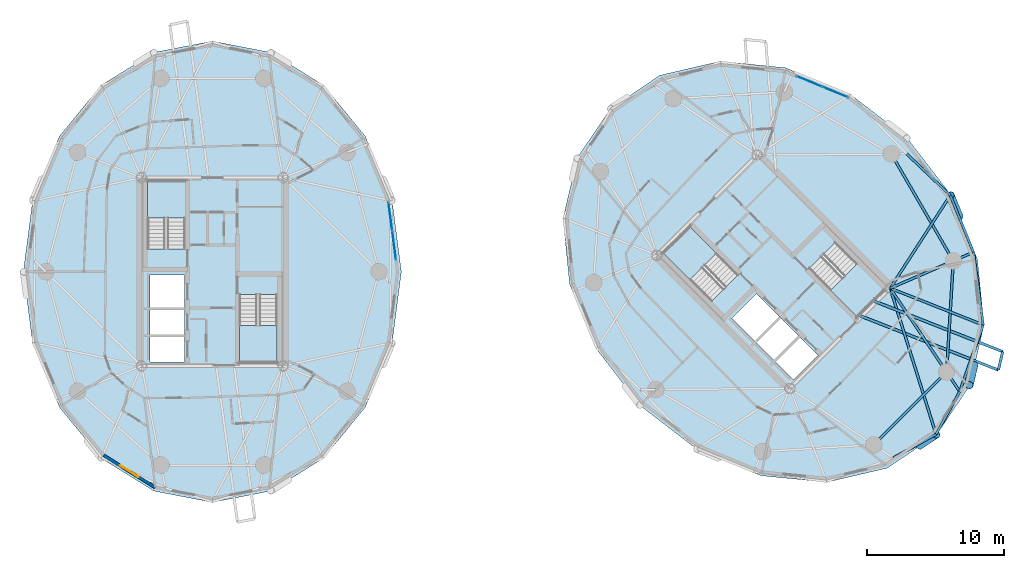
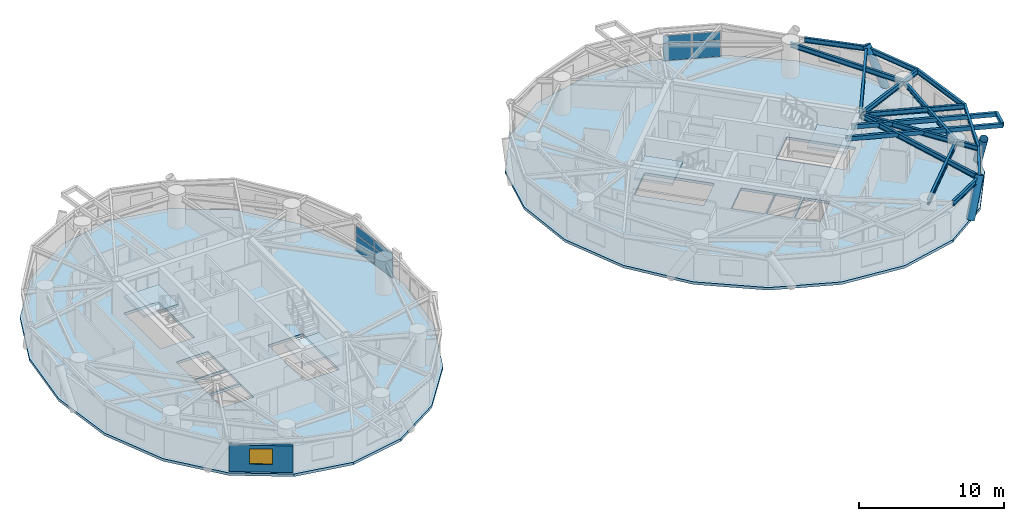
# One storey, part 8 of 17: 17 beams, 8 plates, 6 slabs, 3 members, 1 wall, 1 window, 1 opening, 6 elements without a shape of their own.
"""IFC4 building model written with IfcOpenShell, lengths in metres."""

from ifc_helpers import new_model, si_unit, direction, frame, frame_2d, origin, origin_2d, place, context, subcontext, project, spatial, polyline, rectangle, hollow_rectangle, hollow_circle, i_section, outline, extrude, source, transform, mapped, material, layer, layer_set, material_profile, profile_set, type_object, element, fill, aggregate, save


model = new_model("IFC4")

# Units and contexts
model_context = context("Model", 3, precision=1e-05, world=origin(), true_north=direction((0.0, 1.0)))
body_context = subcontext(model_context, "Body", "Model", "MODEL_VIEW")
ifc_project = project(units=[si_unit("LENGTHUNIT", "METRE"), si_unit("AREAUNIT", "SQUARE_METRE"), si_unit("VOLUMEUNIT", "CUBIC_METRE"), si_unit("PLANEANGLEUNIT", "RADIAN"), si_unit("MASSUNIT", "GRAM", prefix="KILO")], contexts=[model_context])

# Site, building, storey
site_placement = place(None, origin())
site = spatial("IfcSite", under=ifc_project, at=site_placement, CompositionType="ELEMENT")
building_placement = place(site_placement, origin())
building = spatial("IfcBuilding", under=site, at=building_placement, Name="Cununo Teusaquillo Station Towers", CompositionType="ELEMENT")
storey_placement = place(building_placement, frame((0.0, 0.0, 183.610107421875)))
storey = spatial("IfcBuildingStorey", under=building, at=storey_placement, Name="L58", CompositionType="ELEMENT", Elevation=183.610107421875)

# Beams
ifc_material_1 = material(Name="Steel EN 10025-2 S355J2", Category="steel")
ifc_material_profile_1 = material_profile(ifc_material_1, hollow_rectangle(XDim=0.199951171875, YDim=0.35009765625, WallThickness=0.013916015625, at=origin_2d()), Name="RHS 350x200x14")
ifc_profile_set_1 = profile_set([ifc_material_profile_1], Name="Steel EN 10025-2 S355J2")
beam_type_1 = type_object("IfcBeamType", Name="BM-BAL-CANT", PredefinedType="BEAM", material=ifc_profile_set_1)
beam_1_placement = place(storey_placement, frame((63.726318359375, 21.32177734375, 2.514892578125), z_axis=(0.93089493429, -0.36528703962, 0.0), x_axis=(0.36528703962, 0.93089493429, 0.0)))
element("IfcBeam", 1, at=beam_1_placement, inside=storey, type_object=beam_type_1, Name="L58 Tower B Balcony Cantilever Bracket 2A", PredefinedType="BEAM", context=body_context, shape_type="SweptSolid", body=[
    extrude(hollow_rectangle(XDim=0.199951171875, YDim=0.35009765625, WallThickness=0.013916015625, at=origin_2d()), origin(), (0.0, 0.0, 1.0), 10.958984375),
])
beam_2_placement = place(storey_placement, frame((64.781982421875, 22.377685546875, 2.514892578125), z_axis=(0.930897128362, -0.365281448211, 0.0), x_axis=(0.365281448211, 0.930897128362, 0.0)))
element("IfcBeam", 2, at=beam_2_placement, inside=storey, type_object=beam_type_1, Name="L58 Tower B Balcony Cantilever Bracket 2B", PredefinedType="BEAM", context=body_context, shape_type="SweptSolid", body=[
    extrude(hollow_rectangle(XDim=0.199951171875, YDim=0.35009765625, WallThickness=0.013916015625, at=origin_2d()), origin(), (0.0, 0.0, 1.0), 10.162353515625),
])
ifc_material_2 = material(Name="Steel ASTM A572 Grade 50", Category="steel")
ifc_material_profile_2 = material_profile(ifc_material_2, i_section(OverallWidth=0.180908203125, OverallDepth=0.4169921875, WebThickness=0.010986328125, FlangeThickness=0.018310546875, FilletRadius=0.012939453125, at=origin_2d()), Name="W16X57")
ifc_profile_set_2 = profile_set([ifc_material_profile_2], Name="Steel ASTM A572 Grade 50")
beam_type_2 = type_object("IfcBeamType", Name="BM-JOIST-1", PredefinedType="JOIST", material=ifc_profile_set_2)
beam_3_placement = place(storey_placement, frame((66.024169921875, 23.29443359375, 2.4814453125), z_axis=(0.29947962656, -0.954102695351, 0.0), x_axis=(0.954102695351, 0.29947962656, 0.0)))
element("IfcBeam", 3, at=beam_3_placement, inside=storey, type_object=beam_type_2, Name="L58 Tower B Radial Spandrel Joist V15", PredefinedType="JOIST", context=body_context, shape_type="SweptSolid", body=[
    extrude(i_section(OverallWidth=0.180908203125, OverallDepth=0.4169921875, WebThickness=0.010986328125, FlangeThickness=0.018310546875, FilletRadius=0.012939453125, at=origin_2d()), origin(), (0.0, 0.0, 1.0), 11.179931640625),
])
beam_4_placement = place(storey_placement, frame((66.024169921875, 23.29443359375, 2.4814453125), z_axis=(0.93009004426, -0.367331607091, 0.0), x_axis=(0.367331607091, 0.93009004426, 0.0)))
element("IfcBeam", 4, at=beam_4_placement, inside=storey, type_object=beam_type_2, Name="L58 Tower B Radial Spandrel Joist V17", PredefinedType="JOIST", context=body_context, shape_type="SweptSolid", body=[
    extrude(i_section(OverallWidth=0.180908203125, OverallDepth=0.4169921875, WebThickness=0.010986328125, FlangeThickness=0.018310546875, FilletRadius=0.012939453125, at=origin_2d()), origin(), (0.0, 0.0, 1.0), 7.306884765625),
])
beam_5_placement = place(storey_placement, frame((66.024169921875, 23.29443359375, 2.4814453125), z_axis=(0.543440395394, 0.839447756954, 0.0), x_axis=(-0.839447756954, 0.543440395394, 0.0)))
element("IfcBeam", 5, at=beam_5_placement, inside=storey, type_object=beam_type_2, Name="L58 Tower B Radial Spandrel Joist V19", PredefinedType="JOIST", context=body_context, shape_type="SweptSolid", body=[
    extrude(i_section(OverallWidth=0.180908203125, OverallDepth=0.4169921875, WebThickness=0.010986328125, FlangeThickness=0.018310546875, FilletRadius=0.012939453125, at=origin_2d()), origin(), (0.0, 0.0, 1.0), 8.08203125),
])
ifc_material_3 = material(Name="Steel ASTM A572 Grade 50", Category="steel")
ifc_material_profile_3 = material_profile(ifc_material_3, i_section(OverallWidth=0.180908203125, OverallDepth=0.4169921875, WebThickness=0.010986328125, FlangeThickness=0.018310546875, FilletRadius=0.012939453125, at=origin_2d()), Name="W16X57")
ifc_profile_set_3 = profile_set([ifc_material_profile_3], Name="Steel ASTM A572 Grade 50")
beam_type_3 = type_object("IfcBeamType", Name="BM-RAD-G2", PredefinedType="BEAM", material=ifc_profile_set_3)
beam_6_placement = place(storey_placement, frame((66.024169921875, 23.29443359375, 2.4814453125), z_axis=(0.558570989907, -0.829456719326, 0.0), x_axis=(0.829456719326, 0.558570989907, 0.0)))
element("IfcBeam", 6, at=beam_6_placement, inside=storey, type_object=beam_type_3, Name="L58 Tower B Continuous Overhanging Radial Girder 09", PredefinedType="BEAM", context=body_context, shape_type="SweptSolid", body=[
    extrude(i_section(OverallWidth=0.180908203125, OverallDepth=0.4169921875, WebThickness=0.010986328125, FlangeThickness=0.018310546875, FilletRadius=0.012939453125, at=origin_2d()), origin(), (0.0, 0.0, 1.0), 9.097412109375),
])
beam_7_placement = place(storey_placement, frame((66.024169921875, 23.29443359375, 2.4814453125), z_axis=(0.917664823247, 0.397355347486, 0.0), x_axis=(-0.397355347486, 0.917664823247, 0.0)))
element("IfcBeam", 7, at=beam_7_placement, inside=storey, type_object=beam_type_3, Name="L58 Tower B Continuous Overhanging Radial Girder 10", PredefinedType="BEAM", context=body_context, shape_type="SweptSolid", body=[
    extrude(i_section(OverallWidth=0.180908203125, OverallDepth=0.4169921875, WebThickness=0.010986328125, FlangeThickness=0.018310546875, FilletRadius=0.012939453125, at=origin_2d()), origin(), (0.0, 0.0, 1.0), 6.632080078125),
])
ifc_material_4 = material(Name="Steel ASTM A572 Grade 50", Category="steel")
ifc_material_profile_4 = material_profile(ifc_material_4, i_section(OverallWidth=0.180908203125, OverallDepth=0.4169921875, WebThickness=0.010986328125, FlangeThickness=0.018310546875, FilletRadius=0.012939453125, at=origin_2d()), Name="W16X57")
ifc_profile_set_4 = profile_set([ifc_material_profile_4], Name="Steel ASTM A572 Grade 50")
beam_type_4 = type_object("IfcBeamType", Name="BM-RING-Z3", PredefinedType="SPANDREL", material=ifc_profile_set_4)
beam_8_placement = place(storey_placement, frame((64.826904296875, 11.853759765625, 2.4814453125), z_axis=(0.707106781187, 0.707106781187, 0.0), x_axis=(-0.707106781187, 0.707106781187, 0.0)))
element("IfcBeam", 8, at=beam_8_placement, inside=storey, type_object=beam_type_4, Name="L58 Tower B Structural Column Ring Girder 08", PredefinedType="SPANDREL", context=body_context, shape_type="SweptSolid", body=[
    extrude(i_section(OverallWidth=0.180908203125, OverallDepth=0.4169921875, WebThickness=0.010986328125, FlangeThickness=0.018310546875, FilletRadius=0.012939453125, at=origin_2d()), origin(), (0.0, 0.0, 1.0), 7.522705078125),
])
beam_9_placement = place(storey_placement, frame((70.146240234375, 17.173095703125, 2.4814453125), z_axis=(0.06012979176, 0.998190567048, 0.0), x_axis=(-0.998190567048, 0.06012979176, 0.0)))
element("IfcBeam", 9, at=beam_9_placement, inside=storey, type_object=beam_type_4, Name="L58 Tower B Structural Column Ring Girder 09", PredefinedType="SPANDREL", context=body_context, shape_type="SweptSolid", body=[
    extrude(i_section(OverallWidth=0.180908203125, OverallDepth=0.4169921875, WebThickness=0.010986328125, FlangeThickness=0.018310546875, FilletRadius=0.012939453125, at=origin_2d()), origin(), (0.0, 0.0, 1.0), 8.132568359375),
])
beam_10_placement = place(storey_placement, frame((70.63525390625, 25.291015625, 2.4814453125), z_axis=(-0.501311121078, 0.865267103202, 0.0), x_axis=(-0.865267103202, -0.501311121078, 0.0)))
element("IfcBeam", 10, at=beam_10_placement, inside=storey, type_object=beam_type_4, Name="L58 Tower B Structural Column Ring Girder 10", PredefinedType="SPANDREL", context=body_context, shape_type="SweptSolid", body=[
    extrude(i_section(OverallWidth=0.180908203125, OverallDepth=0.4169921875, WebThickness=0.010986328125, FlangeThickness=0.018310546875, FilletRadius=0.012939453125, at=origin_2d()), origin(), (0.0, 0.0, 1.0), 9.032958984375),
])
for number, where, z_axis, x_axis, name in (
    (11, (66.25146484375, 10.894287109375, 2.4814453125), (0.874205659621, 0.485555830659, 0.0), (-0.485555830659, 0.874205659621, 0.0), "L58 Tower B Spandrel Ring Beam 15"),
    (12, (69.372314453125, 12.627685546875, 2.4814453125), (0.485555830659, 0.874205659621, 0.0), (-0.874205659621, 0.485555830659, 0.0), "L58 Tower B Spandrel Ring Beam 16"),
):
    element("IfcBeam", number, at=place(storey_placement, frame(where, z_axis=z_axis, x_axis=x_axis)), inside=storey, type_object=beam_type_4, Name=name, PredefinedType="SPANDREL", context=body_context, shape_type="SweptSolid", body=[
        extrude(i_section(OverallWidth=0.180908203125, OverallDepth=0.4169921875, WebThickness=0.010986328125, FlangeThickness=0.018310546875, FilletRadius=0.012939453125, at=origin_2d()), origin(), (0.0, 0.0, 1.0), 3.56982421875),
    ])
beam_11_placement = place(storey_placement, frame((71.105712890625, 15.74853515625, 2.4814453125), z_axis=(0.332589733158, 0.943071614141, 0.0), x_axis=(-0.943071614141, 0.332589733158, 0.0)))
element("IfcBeam", 13, at=beam_11_placement, inside=storey, type_object=beam_type_4, Name="L58 Tower B Spandrel Ring Beam 17", PredefinedType="SPANDREL", context=body_context, shape_type="SweptSolid", body=[
    extrude(i_section(OverallWidth=0.180908203125, OverallDepth=0.4169921875, WebThickness=0.010986328125, FlangeThickness=0.018310546875, FilletRadius=0.012939453125, at=origin_2d()), origin(), (0.0, 0.0, 1.0), 5.1552734375),
])
beam_12_placement = place(storey_placement, frame((72.8203125, 20.6103515625, 2.4814453125), z_axis=(-0.132339532096, 0.991204443213, 0.0), x_axis=(-0.991204443213, -0.132339532096, 0.0)))
element("IfcBeam", 14, at=beam_12_placement, inside=storey, type_object=beam_type_4, Name="L58 Tower B Spandrel Ring Beam 18", PredefinedType="SPANDREL", context=body_context, shape_type="SweptSolid", body=[
    extrude(i_section(OverallWidth=0.180908203125, OverallDepth=0.4169921875, WebThickness=0.010986328125, FlangeThickness=0.018310546875, FilletRadius=0.012939453125, at=origin_2d()), origin(), (0.0, 0.0, 1.0), 5.366455078125),
])
beam_13_placement = place(storey_placement, frame((72.110107421875, 25.9296875, 2.4814453125), z_axis=(-0.377956082264, 0.925823525235, 0.0), x_axis=(-0.925823525235, -0.377956082264, 0.0)))
element("IfcBeam", 15, at=beam_13_placement, inside=storey, type_object=beam_type_4, Name="L58 Tower B Spandrel Ring Beam 19", PredefinedType="SPANDREL", context=body_context, shape_type="SweptSolid", body=[
    extrude(i_section(OverallWidth=0.180908203125, OverallDepth=0.4169921875, WebThickness=0.010986328125, FlangeThickness=0.018310546875, FilletRadius=0.012939453125, at=origin_2d()), origin(), (0.0, 0.0, 1.0), 4.481689453125),
])
beam_14_placement = place(storey_placement, frame((70.416259765625, 30.078857421875, 2.4814453125), z_axis=(-0.723501643849, 0.690322657421, 0.0), x_axis=(-0.690322657421, -0.723501643849, 0.0)))
element("IfcBeam", 16, at=beam_14_placement, inside=storey, type_object=beam_type_4, Name="L58 Tower B Spandrel Ring Beam 20", PredefinedType="SPANDREL", context=body_context, shape_type="SweptSolid", body=[
    extrude(i_section(OverallWidth=0.180908203125, OverallDepth=0.4169921875, WebThickness=0.010986328125, FlangeThickness=0.018310546875, FilletRadius=0.012939453125, at=origin_2d()), origin(), (0.0, 0.0, 1.0), 4.400146484375),
])
ifc_material_5 = material(Name="Steel EN 10025-2 S355J2", Category="steel")
ifc_material_profile_5 = material_profile(ifc_material_5, hollow_rectangle(XDim=0.199951171875, YDim=0.35009765625, WallThickness=0.013916015625, at=origin_2d()), Name="RHS 350x200x14")
ifc_profile_set_5 = profile_set([ifc_material_profile_5], Name="Steel EN 10025-2 S355J2")
beam_type_5 = type_object("IfcBeamType", Name="BM-STAIR-TRIM", PredefinedType="BEAM", material=ifc_profile_set_5)
beam_15_placement = place(storey_placement, frame((73.927978515625, 17.318603515625, 2.52490234375), z_axis=(0.227179394005, 0.97385292675, 0.0), x_axis=(-0.97385292675, 0.227179394005, 0.0)))
element("IfcBeam", 17, at=beam_15_placement, inside=storey, type_object=beam_type_5, Name="L58 Tower B Balcony Edge Trimmer Beam 2", PredefinedType="BEAM", context=body_context, shape_type="SweptSolid", body=[
    extrude(hollow_rectangle(XDim=0.199951171875, YDim=0.35009765625, WallThickness=0.013916015625, at=origin_2d()), origin(), (0.0, 0.0, 1.0), 1.383056640625),
])

# Members
ifc_material_6 = material(Name="Steel EN 10025-2 S355J2", Category="steel")
ifc_material_profile_6 = material_profile(ifc_material_6, hollow_circle(Radius=0.304931640625, WallThickness=0.02001953125, at=origin_2d()), Name="CHS 610x20")
ifc_profile_set_6 = profile_set([ifc_material_profile_6], Name="Steel EN 10025-2 S355J2")
member_type = type_object("IfcMemberType", Name="MBR-DIAG-Z3", PredefinedType="BRACE", material=ifc_profile_set_6)
member_1_placement = place(storey_placement, frame((68.177001953125, 11.81982421875, -0.14013671875), z_axis=(0.368023716822, 0.248731715475, 0.895930286112), x_axis=(-0.559961028799, 0.828518947416, 0.0)))
element("IfcMember", 18, at=member_1_placement, inside=storey, type_object=member_type, Name="L58 Tower B Folded-Zigzag Diagrid Tube C14", PredefinedType="BRACE", context=body_context, shape_type="SweptSolid", body=[
    extrude(hollow_circle(Radius=0.304931640625, WallThickness=0.02001953125, at=origin_2d()), origin(), (0.0, 0.0, 1.0), 3.247802734375),
])
member_2_placement = place(storey_placement, frame((72.13720703125, 17.67919921875, -0.14013671875), z_axis=(-0.104181964314, -0.447430982649, 0.888229494037), x_axis=(0.973946400459, -0.226778325756, 0.0)))
element("IfcMember", 19, at=member_2_placement, inside=storey, type_object=member_type, Name="L58 Tower B Folded-Zigzag Diagrid Tube C16", PredefinedType="BRACE", context=body_context, shape_type="SweptSolid", body=[
    extrude(hollow_circle(Radius=0.304931640625, WallThickness=0.02001953125, at=origin_2d()), origin(), (0.0, 0.0, 1.0), 3.276123046875),
])
member_3_placement = place(storey_placement, frame((71.05908203125, 28.51513671875, -0.14013671875), z_axis=(-0.19100820826, 0.464643970339, 0.86465128532), x_axis=(-0.924899245818, -0.380212289499, 0.0)))
element("IfcMember", 20, at=member_3_placement, inside=storey, type_object=member_type, Name="L58 Tower B Folded-Zigzag Diagrid Tube C18", PredefinedType="BRACE", context=body_context, shape_type="SweptSolid", body=[
    extrude(hollow_circle(Radius=0.304931640625, WallThickness=0.02001953125, at=origin_2d()), origin(), (0.0, 0.0, 1.0), 3.365478515625),
])

# Stair, slab
ifc_material_7 = material(Name="Concrete C50/60", Category="concrete")
stair_type = type_object("IfcStairType", Name="ST-TWR-1300", PredefinedType="HALF_TURN_STAIR", material=ifc_material_7)
stair_1_placement = place(storey_placement, origin())
stair_1 = element("IfcStair", 21, at=stair_1_placement, inside=storey, type_object=stair_type, Name="L58 Tower A Protected Core Exit Stair 1", PredefinedType="HALF_TURN_STAIR")
ifc_material_8 = material(Name="Concrete C50/60", Category="concrete")
ifc_layer_1 = layer(ifc_material_8, 0.199951171875)
ifc_layer_set_1 = layer_set([ifc_layer_1], Name="Concrete C50/60")
slab_type_1 = type_object("IfcSlabType", Name="SLB-STAIR-LND", PredefinedType="LANDING", material=ifc_layer_set_1)
slab_1_placement = place(storey_placement, frame((0.0, 0.0, 1.2548828125)))
slab_1 = element("IfcSlab", 22, at=slab_1_placement, type_object=slab_type_1, Name="ST-T1-1 landing 1", PredefinedType="LANDING", context=body_context, shape_type="SweptSolid", body=[
    extrude(outline(polyline([(14.52001953125, 28.409912109375), (14.52001953125, 31.159912109375), (11.760009765625, 31.159912109375), (11.760009765625, 28.409912109375), (14.52001953125, 28.409912109375)])), origin(), (0.0, 0.0, 1.0), 0.199951171875),
])
aggregate(stair_1, [slab_1])

stair_2_placement = place(storey_placement, origin())
stair_2 = element("IfcStair", 23, at=stair_2_placement, inside=storey, type_object=stair_type, Name="L58 Tower A Protected Core Exit Stair 2", PredefinedType="HALF_TURN_STAIR")
slab_2_placement = place(storey_placement, frame((0.0, 0.0, 1.2548828125)))
slab_2 = element("IfcSlab", 24, at=slab_2_placement, type_object=slab_type_1, Name="ST-T1-2 landing 1", PredefinedType="LANDING", context=body_context, shape_type="SweptSolid", body=[
    extrude(outline(polyline([(18.47998046875, 20.590087890625), (18.47998046875, 17.840087890625), (21.239990234375, 17.840087890625), (21.239990234375, 20.590087890625), (18.47998046875, 20.590087890625)])), origin(), (0.0, 0.0, 1.0), 0.199951171875),
])
aggregate(stair_2, [slab_2])

stair_3_placement = place(storey_placement, origin())
stair_3 = element("IfcStair", 25, at=stair_3_placement, inside=storey, type_object=stair_type, Name="L58 Tower B Protected Core Exit Stair 1", PredefinedType="HALF_TURN_STAIR")
slab_3_placement = place(storey_placement, frame((0.0, 0.0, 1.2548828125)))
slab_3 = element("IfcSlab", 26, at=slab_3_placement, type_object=slab_type_1, Name="ST-T2-1 landing 1", PredefinedType="LANDING", context=body_context, shape_type="SweptSolid", body=[
    extrude(outline(polyline([(53.335205078125, 25.86474609375), (51.390625, 27.809326171875), (49.43896484375, 25.857666015625), (51.383544921875, 23.9130859375), (53.335205078125, 25.86474609375)])), origin(), (0.0, 0.0, 1.0), 0.199951171875),
])
aggregate(stair_3, [slab_3])

stair_4_placement = place(storey_placement, origin())
stair_4 = element("IfcStair", 27, at=stair_4_placement, inside=storey, type_object=stair_type, Name="L58 Tower B Protected Core Exit Stair 2", PredefinedType="HALF_TURN_STAIR")
slab_4_placement = place(storey_placement, frame((0.0, 0.0, 1.2548828125)))
slab_4 = element("IfcSlab", 28, at=slab_4_placement, type_object=slab_type_1, Name="ST-T2-2 landing 1", PredefinedType="LANDING", context=body_context, shape_type="SweptSolid", body=[
    extrude(outline(polyline([(61.664794921875, 23.13525390625), (63.609375, 21.190673828125), (65.56103515625, 23.142333984375), (63.616455078125, 25.0869140625), (61.664794921875, 23.13525390625)])), origin(), (0.0, 0.0, 1.0), 0.199951171875),
])
aggregate(stair_4, [slab_4])

# Slabs
ifc_material_9 = material(Name="Concrete C40/50", Category="concrete")
ifc_layer_2 = layer(ifc_material_9, 0.219970703125)
ifc_layer_set_2 = layer_set([ifc_layer_2], Name="Concrete C40/50")
slab_type_2 = type_object("IfcSlabType", Name="SLB-Z3-220", PredefinedType="FLOOR", material=ifc_layer_set_2)
slab_5_placement = place(storey_placement, frame((0.0, 0.0, -0.22021484375)))
element("IfcSlab", 29, at=slab_5_placement, inside=storey, type_object=slab_type_2, Name="L58 Tower A Floor Slab", PredefinedType="FLOOR", context=body_context, shape_type="SweptSolid", body=[
    extrude(outline(polyline([(30.31103515625, 24.5), (29.635009765625, 29.706787109375), (27.67333984375, 34.404296875), (24.617919921875, 38.1318359375), (20.767822265625, 40.525390625), (16.5, 41.35009765625), (12.232177734375, 40.525390625), (8.382080078125, 38.1318359375), (5.32666015625, 34.404296875), (3.364990234375, 29.706787109375), (2.68896484375, 24.5), (3.364990234375, 19.293212890625), (5.32666015625, 14.595703125), (8.382080078125, 10.8681640625), (12.232177734375, 8.474609375), (16.5, 7.64990234375), (20.767822265625, 8.474609375), (24.617919921875, 10.8681640625), (27.67333984375, 14.595703125), (29.635009765625, 19.293212890625), (30.31103515625, 24.5)]), holes=[polyline([(14.52001953125, 26.176025390625), (14.52001953125, 31.159912109375), (11.760009765625, 31.159912109375), (11.760009765625, 26.176025390625), (14.52001953125, 26.176025390625)]), polyline([(18.47998046875, 22.823974609375), (18.47998046875, 17.840087890625), (21.239990234375, 17.840087890625), (21.239990234375, 22.823974609375), (18.47998046875, 22.823974609375)]), polyline([(11.949951171875, 21.85009765625), (14.47998046875, 21.85009765625), (14.47998046875, 24.25), (11.949951171875, 24.25), (11.949951171875, 21.85009765625)]), polyline([(11.949951171875, 17.89990234375), (14.47998046875, 17.89990234375), (14.47998046875, 19.75), (11.949951171875, 19.75), (11.949951171875, 17.89990234375)]), polyline([(11.949951171875, 19.89990234375), (14.47998046875, 19.89990234375), (14.47998046875, 21.75), (11.949951171875, 21.75), (11.949951171875, 19.89990234375)])]), origin(), (0.0, 0.0, 1.0), 0.22021484375),
])
slab_6_placement = place(storey_placement, frame((0.0, 0.0, -0.22021484375)))
element("IfcSlab", 30, at=slab_6_placement, inside=storey, type_object=slab_type_2, Name="L58 Tower B Floor Slab", PredefinedType="FLOOR", context=body_context, shape_type="SweptSolid", body=[
    extrude(outline(polyline([(67.265869140625, 34.265869140625), (63.10595703125, 37.4697265625), (58.3974609375, 39.404052734375), (53.60107421875, 39.87939453125), (49.186279296875, 38.849365234375), (45.585205078125, 36.414794921875), (43.150634765625, 32.813720703125), (42.12060546875, 28.39892578125), (42.595947265625, 23.6025390625), (44.5302734375, 18.89404296875), (47.734130859375, 14.734130859375), (51.89404296875, 11.5302734375), (56.6025390625, 9.595947265625), (61.39892578125, 9.12060546875), (65.813720703125, 10.150634765625), (69.414794921875, 12.585205078125), (71.849365234375, 16.186279296875), (72.87939453125, 20.60107421875), (72.404052734375, 25.3974609375), (70.4697265625, 30.10595703125), (67.265869140625, 34.265869140625)]), holes=[polyline([(54.914794921875, 24.28515625), (51.390625, 27.809326171875), (49.43896484375, 25.857666015625), (52.963134765625, 22.33349609375), (54.914794921875, 24.28515625)]), polyline([(60.085205078125, 24.71484375), (63.609375, 21.190673828125), (65.56103515625, 23.142333984375), (62.036865234375, 26.66650390625), (60.085205078125, 24.71484375)]), polyline([(56.156494140625, 19.40869140625), (57.945556640625, 21.19775390625), (56.248291015625, 22.89501953125), (54.45947265625, 21.10595703125), (56.156494140625, 19.40869140625)]), polyline([(58.94970703125, 16.61572265625), (60.738525390625, 18.40478515625), (59.430419921875, 19.712890625), (57.641357421875, 17.923828125), (58.94970703125, 16.61572265625)]), polyline([(57.535400390625, 18.030029296875), (59.32421875, 19.819091796875), (58.01611328125, 21.127197265625), (56.227294921875, 19.338134765625), (57.535400390625, 18.030029296875)])]), origin(), (0.0, 0.0, 1.0), 0.22021484375),
])

# Curtain wall, plates
ifc_material_10 = material(Name="Operable acoustic tinted low-E double glazing", Category="glass")
ifc_layer_3 = layer(ifc_material_10, 0.179931640625)
ifc_layer_set_3 = layer_set([ifc_layer_3], Name="Operable acoustic tinted low-E double glazing")
curtain_wall_type = type_object("IfcCurtainWallType", Name="CW-SYS-06", PredefinedType="USERDEFINED", material=ifc_layer_set_3)
curtain_wall_1_placement = place(storey_placement, origin())
curtain_wall_1 = element("IfcCurtainWall", 31, at=curtain_wall_1_placement, inside=storey, type_object=curtain_wall_type, Name="L58 Tower A Facade Curtain Wall C00", ObjectType="OPERABLE GLAZING", PredefinedType="USERDEFINED")
ifc_material_11 = material(Name="Operable acoustic tinted low-E double glazing", Category="glass")
ifc_layer_4 = layer(ifc_material_11, 0.031982421875)
ifc_layer_set_4 = layer_set([ifc_layer_4], Name="Operable acoustic tinted low-E double glazing")
plate_type = type_object("IfcPlateType", Name="CWP-OPER-32", PredefinedType="CURTAIN_PANEL", material=ifc_layer_set_4)
shared_shape_1 = source(origin(), body_context, "Body", "SweptSolid", [
    extrude(rectangle(XDim=2.05908203125, YDim=0.031982421875, at=origin_2d()), origin(), (0.0, 0.0, 1.0), 1.361572265625),
])
plate_1_placement = place(storey_placement, frame((29.509033203125, 28.534912109375, 0.06494140625), z_axis=(0.0, 0.0, 1.0), x_axis=(0.128285462927, -0.991737283761, 0.0)))
plate_1 = element("IfcPlate", 32, at=plate_1_placement, type_object=plate_type, Name="CW-06 panel 1.1", PredefinedType="CURTAIN_PANEL", context=body_context, shape_type="MappedRepresentation", body=[
    mapped(shared_shape_1, transform((0.0, 0.0, 0.0), x_axis=(1.0, 0.0, 0.0), y_axis=(0.0, 1.0, 0.0), z_axis=(0.0, 0.0, 1.0), scale=1.0)),
])
plate_2_placement = place(storey_placement, frame((29.781494140625, 26.428466796875, 0.06494140625), z_axis=(0.0, 0.0, 1.0), x_axis=(0.128285462927, -0.991737283761, 0.0)))
plate_2 = element("IfcPlate", 33, at=plate_2_placement, type_object=plate_type, Name="CW-06 panel 2.1", PredefinedType="CURTAIN_PANEL", context=body_context, shape_type="MappedRepresentation", body=[
    mapped(shared_shape_1, transform((0.0, 0.0, 0.0), x_axis=(1.0, 0.0, 0.0), y_axis=(0.0, 1.0, 0.0), z_axis=(0.0, 0.0, 1.0), scale=1.0)),
])
shared_shape_2 = source(origin(), body_context, "Body", "SweptSolid", [
    extrude(rectangle(XDim=2.05908203125, YDim=0.031982421875, at=origin_2d()), origin(), (0.0, 0.0, 1.0), 0.6884765625),
])
plate_3_placement = place(storey_placement, frame((29.509033203125, 28.534912109375, 1.491455078125), z_axis=(0.0, 0.0, 1.0), x_axis=(0.128285462927, -0.991737283761, 0.0)))
plate_3 = element("IfcPlate", 34, at=plate_3_placement, type_object=plate_type, Name="CW-06 panel 1.2", PredefinedType="CURTAIN_PANEL", context=body_context, shape_type="MappedRepresentation", body=[
    mapped(shared_shape_2, transform((0.0, 0.0, 0.0), x_axis=(1.0, 0.0, 0.0), y_axis=(0.0, 1.0, 0.0), z_axis=(0.0, 0.0, 1.0), scale=1.0)),
])
plate_4_placement = place(storey_placement, frame((29.781494140625, 26.428466796875, 1.491455078125), z_axis=(0.0, 0.0, 1.0), x_axis=(0.128285462927, -0.991737283761, 0.0)))
plate_4 = element("IfcPlate", 35, at=plate_4_placement, type_object=plate_type, Name="CW-06 panel 2.2", PredefinedType="CURTAIN_PANEL", context=body_context, shape_type="MappedRepresentation", body=[
    mapped(shared_shape_2, transform((0.0, 0.0, 0.0), x_axis=(1.0, 0.0, 0.0), y_axis=(0.0, 1.0, 0.0), z_axis=(0.0, 0.0, 1.0), scale=1.0)),
])
aggregate(curtain_wall_1, [plate_1, plate_3, plate_2, plate_4])

curtain_wall_2_placement = place(storey_placement, origin())
curtain_wall_2 = element("IfcCurtainWall", 36, at=curtain_wall_2_placement, inside=storey, type_object=curtain_wall_type, Name="L58 Tower B Facade Curtain Wall C01", ObjectType="OPERABLE GLAZING", PredefinedType="USERDEFINED")
shared_shape_3 = source(origin(), body_context, "Body", "SweptSolid", [
    extrude(rectangle(XDim=1.97900390625, YDim=0.031982421875, at=origin_2d()), origin(), (0.0, 0.0, 1.0), 1.361572265625),
])
plate_5_placement = place(storey_placement, frame((60.1142578125, 38.4013671875, 0.06494140625), z_axis=(0.0, 0.0, 1.0), x_axis=(0.924480504803, -0.381229322376, 0.0)))
plate_5 = element("IfcPlate", 37, at=plate_5_placement, type_object=plate_type, Name="CW-06 panel 1.1", PredefinedType="CURTAIN_PANEL", context=body_context, shape_type="MappedRepresentation", body=[
    mapped(shared_shape_3, transform((0.0, 0.0, 0.0), x_axis=(1.0, 0.0, 0.0), y_axis=(0.0, 1.0, 0.0), z_axis=(0.0, 0.0, 1.0), scale=1.0)),
])
plate_6_placement = place(storey_placement, frame((62.00390625, 37.622314453125, 0.06494140625), z_axis=(0.0, 0.0, 1.0), x_axis=(0.924480504803, -0.381229322376, 0.0)))
plate_6 = element("IfcPlate", 38, at=plate_6_placement, type_object=plate_type, Name="CW-06 panel 2.1", PredefinedType="CURTAIN_PANEL", context=body_context, shape_type="MappedRepresentation", body=[
    mapped(shared_shape_3, transform((0.0, 0.0, 0.0), x_axis=(1.0, 0.0, 0.0), y_axis=(0.0, 1.0, 0.0), z_axis=(0.0, 0.0, 1.0), scale=1.0)),
])
shared_shape_4 = source(origin(), body_context, "Body", "SweptSolid", [
    extrude(rectangle(XDim=1.97900390625, YDim=0.031982421875, at=origin_2d()), origin(), (0.0, 0.0, 1.0), 0.6884765625),
])
plate_7_placement = place(storey_placement, frame((60.1142578125, 38.4013671875, 1.491455078125), z_axis=(0.0, 0.0, 1.0), x_axis=(0.924480504803, -0.381229322376, 0.0)))
plate_7 = element("IfcPlate", 39, at=plate_7_placement, type_object=plate_type, Name="CW-06 panel 1.2", PredefinedType="CURTAIN_PANEL", context=body_context, shape_type="MappedRepresentation", body=[
    mapped(shared_shape_4, transform((0.0, 0.0, 0.0), x_axis=(1.0, 0.0, 0.0), y_axis=(0.0, 1.0, 0.0), z_axis=(0.0, 0.0, 1.0), scale=1.0)),
])
plate_8_placement = place(storey_placement, frame((62.00390625, 37.622314453125, 1.491455078125), z_axis=(0.0, 0.0, 1.0), x_axis=(0.924480504803, -0.381229322376, 0.0)))
plate_8 = element("IfcPlate", 40, at=plate_8_placement, type_object=plate_type, Name="CW-06 panel 2.2", PredefinedType="CURTAIN_PANEL", context=body_context, shape_type="MappedRepresentation", body=[
    mapped(shared_shape_4, transform((0.0, 0.0, 0.0), x_axis=(1.0, 0.0, 0.0), y_axis=(0.0, 1.0, 0.0), z_axis=(0.0, 0.0, 1.0), scale=1.0)),
])
aggregate(curtain_wall_2, [plate_5, plate_7, plate_6, plate_8])

# Wall, opening, window
ifc_material_12 = material(Name="Precast concrete C40/50", Category="concrete")
ifc_layer_5 = layer(ifc_material_12, 0.219970703125)
ifc_layer_set_5 = layer_set([ifc_layer_5], Name="Precast concrete C40/50")
wall_type = type_object("IfcWallType", Name="WL-EXT-220", PredefinedType="SOLIDWALL", material=ifc_layer_set_5)
wall_placement = place(storey_placement, frame((12.318603515625, 8.740966796875, 0.0), z_axis=(0.0, 0.0, 1.0), x_axis=(-0.848399108042, 0.529357113368, 0.0)))
wall = element("IfcWall", 41, at=wall_placement, inside=storey, type_object=wall_type, Name="L58 Tower A Exterior Facade Wall C13", PredefinedType="SOLIDWALL", context=body_context, shape_type="SweptSolid", body=[
    extrude(rectangle(XDim=4.446044921875, YDim=0.219970703125, at=frame_2d((2.22314453125, 0.0))), origin(), (0.0, 0.0, 1.0), 2.244873046875),
])
shared_shape_5 = source(origin(), body_context, "Body", "SweptSolid", [
    extrude(rectangle(XDim=1.60009765625, YDim=1.300048828125, at=frame_2d((0.800048828125, 0.64990234375))), frame((0.0, 0.119873046875, 0.0), z_axis=(0.0, -1.0, 0.0), x_axis=(1.0, 0.0, 0.0)), (0.0, 0.0, 1.0), 0.239990234375),
])
opening_placement = place(wall_placement, frame((1.423095703125, 0.0, 0.64990234375)))
opening = element("IfcOpeningElement", 42, at=opening_placement, cuts=wall, Name="Opening WN-03", PredefinedType="OPENING", context=body_context, shape_type="MappedRepresentation", body=[
    mapped(shared_shape_5, transform((0.0, 0.0, 0.0), x_axis=(1.0, 0.0, 0.0), y_axis=(0.0, 1.0, 0.0), z_axis=(0.0, 0.0, 1.0), scale=1.0)),
])
ifc_material_13 = material(Name="Ceramic-fritted dark low-E double glazing", Category="glass")
window_type = type_object("IfcWindowType", Name="WIN-CORN-1600", PartitioningType="SINGLE_PANEL", PredefinedType="WINDOW", material=ifc_material_13)
shared_shape_6 = source(origin(), body_context, "Body", "SweptSolid", [
    extrude(rectangle(XDim=1.60009765625, YDim=1.300048828125, at=frame_2d((0.800048828125, 0.64990234375))), frame((0.0, 0.030029296875, 0.0), z_axis=(0.0, -1.0, 0.0), x_axis=(1.0, 0.0, 0.0)), (0.0, 0.0, 1.0), 0.06005859375),
])
window_placement = place(opening_placement, origin())
window = element("IfcWindow", 43, at=window_placement, inside=storey, type_object=window_type, Name="L58 Tower A Facade Window C13", OverallHeight=1.300048828125, OverallWidth=1.60009765625, PartitioningType="SINGLE_PANEL", PredefinedType="WINDOW", context=body_context, shape_type="MappedRepresentation", body=[
    mapped(shared_shape_6, transform((0.0, 0.0, 0.0), x_axis=(1.0, 0.0, 0.0), y_axis=(0.0, 1.0, 0.0), z_axis=(0.0, 0.0, 1.0), scale=1.0)),
])
fill(opening, window)

save(model, "model.ifc")
